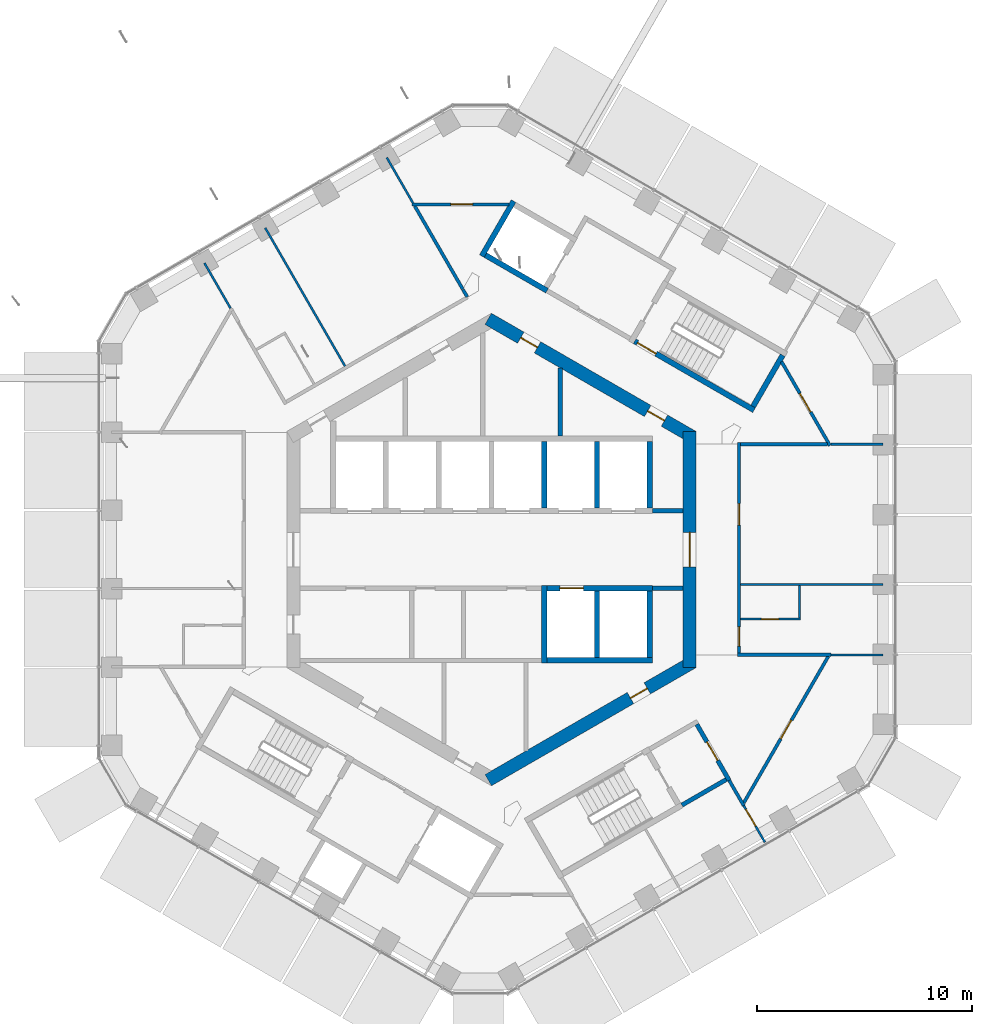
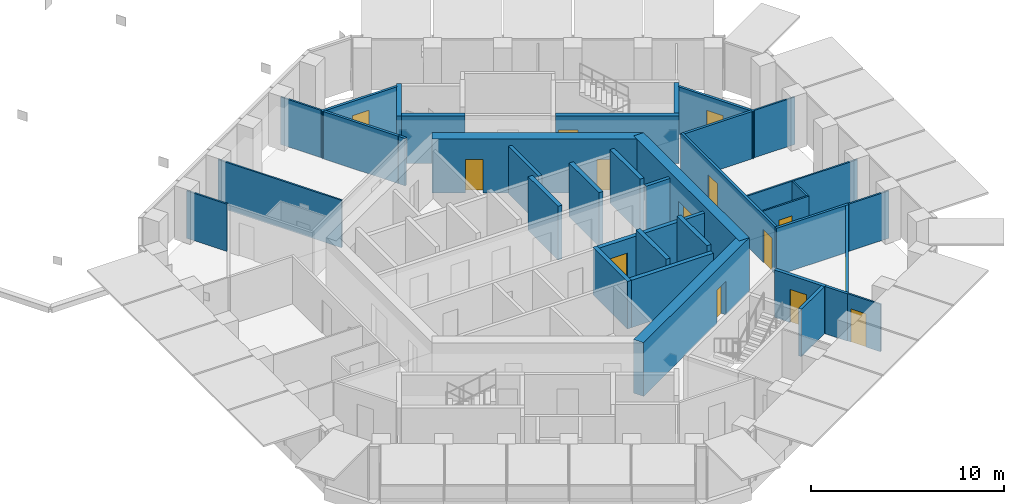
# One storey, part 14 of 21: 38 walls, 14 doors, 14 openings.
"""IFC4 building model written with IfcOpenShell, lengths in metres."""

from ifc_helpers import new_model, si_unit, direction, frame, frame_2d, origin, place, context, subcontext, project, spatial, rectangle, extrude, material, layer, layer_set, type_object, element, fill, save


model = new_model("IFC4")

# Units and contexts
model_context = context("Model", 3, precision=1e-05, world=origin(), true_north=direction((0.0, 1.0)))
body_context = subcontext(model_context, "Body", "Model", "MODEL_VIEW")
ifc_project = project(units=[si_unit("LENGTHUNIT", "METRE"), si_unit("AREAUNIT", "SQUARE_METRE"), si_unit("VOLUMEUNIT", "CUBIC_METRE"), si_unit("PLANEANGLEUNIT", "RADIAN"), si_unit("MASSUNIT", "GRAM", prefix="KILO")], contexts=[model_context])

# Site, building, storey
site_placement = place(None, origin())
site = spatial("IfcSite", under=ifc_project, at=site_placement, CompositionType="ELEMENT")
building_placement = place(site_placement, origin())
building = spatial("IfcBuilding", under=site, at=building_placement, Name="Ayvan Gate Tower", CompositionType="ELEMENT")
storey_placement = place(building_placement, frame((0.0, 0.0, 183.300048828125)))
storey = spatial("IfcBuildingStorey", under=building, at=storey_placement, Name="L49", CompositionType="ELEMENT", Elevation=183.300048828125)

# Wall, opening, door
ifc_material_1 = material(Name="Concrete C60/75", Category="concrete")
ifc_layer_1 = layer(ifc_material_1, 0.60009765625)
ifc_layer_set_1 = layer_set([ifc_layer_1], Name="Concrete C60/75")
wall_type_1 = type_object("IfcWallType", Name="Core wall 600 C60/75", PredefinedType="SHEAR", material=ifc_layer_set_1)
wall_1_placement = place(storey_placement, frame((9.199951171875, -5.48486328125, 0.0), z_axis=(0.0, 0.0, 1.0), x_axis=(0.0, 1.0, 0.0)))
wall_1 = element("IfcWall", 1, at=wall_1_placement, inside=storey, type_object=wall_type_1, Name="CORE-L49-0", PredefinedType="SHEAR", context=body_context, shape_type="SweptSolid", body=[
    extrude(rectangle(XDim=10.9697265625, YDim=0.60009765625, at=frame_2d((5.48486328125, 0.0))), origin(), (0.0, 0.0, 1.0), 3.39990234375),
])
opening_1_placement = place(wall_1_placement, frame((4.684814453125, 0.0, 0.0)))
opening_1 = element("IfcOpeningElement", 2, at=opening_1_placement, cuts=wall_1, Name="Opening L49-D50", PredefinedType="OPENING", context=body_context, shape_type="SweptSolid", body=[
    extrude(rectangle(XDim=1.60009765625, YDim=2.10009765625, at=frame_2d((0.800048828125, 1.050048828125))), frame((0.0, 0.31005859375, 0.0), z_axis=(0.0, -1.0, 0.0), x_axis=(1.0, 0.0, 0.0)), (0.0, 0.0, 1.0), 0.6201171875),
])
ifc_material_2 = material(Name="Timber door leaf", Category="wood")
door_type_1 = type_object("IfcDoorType", Name="DT-1600", OperationType="NOTDEFINED", PredefinedType="DOOR", material=ifc_material_2)
door_1_placement = place(opening_1_placement, origin())
door_1 = element("IfcDoor", 3, at=door_1_placement, inside=storey, type_object=door_type_1, Name="CD-L49-50", OperationType="SINGLE_SWING_LEFT", OverallHeight=2.10009765625, OverallWidth=1.60009765625, PredefinedType="DOOR", context=body_context, shape_type="SweptSolid", body=[
    extrude(rectangle(XDim=1.60009765625, YDim=2.10009765625, at=frame_2d((0.800048828125, 1.050048828125))), frame((0.0, 0.02490234375, 0.0), z_axis=(0.0, -1.0, 0.0), x_axis=(1.0, 0.0, 0.0)), (0.0, 0.0, 1.0), 0.050048828125),
])
fill(opening_1, door_1)

# Wall, openings, doors
wall_2_placement = place(storey_placement, frame((9.35009765625, 5.22509765625, 0.0), z_axis=(0.0, 0.0, 1.0), x_axis=(-0.866023993627, 0.500002442456, 0.0)))
wall_2 = element("IfcWall", 4, at=wall_2_placement, inside=storey, type_object=wall_type_1, Name="CORE-L49-1", PredefinedType="SHEAR", context=body_context, shape_type="SweptSolid", body=[
    extrude(rectangle(XDim=10.9697265625, YDim=0.60009765625, at=frame_2d((5.48486328125, 0.0))), origin(), (0.0, 0.0, 1.0), 3.39990234375),
])
opening_2_placement = place(wall_2_placement, frame((8.3251953125, 0.0, 0.0)))
opening_2 = element("IfcOpeningElement", 5, at=opening_2_placement, cuts=wall_2, Name="Opening L49-D44", PredefinedType="OPENING", context=body_context, shape_type="SweptSolid", body=[
    extrude(rectangle(XDim=0.89990234375, YDim=2.10009765625, at=frame_2d((0.449951171875, 1.050048828125))), frame((0.0, 0.31005859375, 0.0), z_axis=(0.0, -1.0, 0.0), x_axis=(1.0, 0.0, 0.0)), (0.0, 0.0, 1.0), 0.6201171875),
])
opening_3_placement = place(wall_2_placement, frame((1.518310546875, 0.0, 0.0)))
opening_3 = element("IfcOpeningElement", 6, at=opening_3_placement, cuts=wall_2, Name="Opening L49-D45", PredefinedType="OPENING", context=body_context, shape_type="SweptSolid", body=[
    extrude(rectangle(XDim=0.89990234375, YDim=2.10009765625, at=frame_2d((0.449951171875, 1.050048828125))), frame((0.0, 0.31005859375, 0.0), z_axis=(0.0, -1.0, 0.0), x_axis=(1.0, 0.0, 0.0)), (0.0, 0.0, 1.0), 0.6201171875),
])
door_type_2 = type_object("IfcDoorType", Name="DT-900", OperationType="NOTDEFINED", PredefinedType="DOOR", material=ifc_material_2)
door_2_placement = place(opening_2_placement, origin())
door_2 = element("IfcDoor", 7, at=door_2_placement, inside=storey, type_object=door_type_2, Name="CD-L49-44", OperationType="SINGLE_SWING_LEFT", OverallHeight=2.10009765625, OverallWidth=0.89990234375, PredefinedType="DOOR", context=body_context, shape_type="SweptSolid", body=[
    extrude(rectangle(XDim=0.89990234375, YDim=2.10009765625, at=frame_2d((0.449951171875, 1.050048828125))), frame((0.0, 0.02490234375, 0.0), z_axis=(0.0, -1.0, 0.0), x_axis=(1.0, 0.0, 0.0)), (0.0, 0.0, 1.0), 0.050048828125),
])
fill(opening_2, door_2)
door_3_placement = place(opening_3_placement, origin())
door_3 = element("IfcDoor", 8, at=door_3_placement, inside=storey, type_object=door_type_2, Name="CD-L49-45", OperationType="SINGLE_SWING_RIGHT", OverallHeight=2.10009765625, OverallWidth=0.89990234375, PredefinedType="DOOR", context=body_context, shape_type="SweptSolid", body=[
    extrude(rectangle(XDim=0.89990234375, YDim=2.10009765625, at=frame_2d((0.449951171875, 1.050048828125))), frame((0.0, 0.02490234375, 0.0), z_axis=(0.0, -1.0, 0.0), x_axis=(1.0, 0.0, 0.0)), (0.0, 0.0, 1.0), 0.050048828125),
])
fill(opening_3, door_3)

# Wall, opening, door
wall_3_placement = place(storey_placement, frame((-0.14990234375, -10.7099609375, 0.0), z_axis=(0.0, 0.0, 1.0), x_axis=(0.866023993627, 0.500002442456, 0.0)))
wall_3 = element("IfcWall", 9, at=wall_3_placement, inside=storey, type_object=wall_type_1, Name="CORE-L49-5", PredefinedType="SHEAR", context=body_context, shape_type="SweptSolid", body=[
    extrude(rectangle(XDim=10.9697265625, YDim=0.60009765625, at=frame_2d((5.48486328125, 0.0))), origin(), (0.0, 0.0, 1.0), 3.39990234375),
])
opening_4_placement = place(wall_3_placement, frame((7.627685546875, 0.0, 0.0)))
opening_4 = element("IfcOpeningElement", 10, at=opening_4_placement, cuts=wall_3, Name="Opening L49-D48", PredefinedType="OPENING", context=body_context, shape_type="SweptSolid", body=[
    extrude(rectangle(XDim=0.89990234375, YDim=2.10009765625, at=frame_2d((0.449951171875, 1.050048828125))), frame((0.0, 0.31005859375, 0.0), z_axis=(0.0, -1.0, 0.0), x_axis=(1.0, 0.0, 0.0)), (0.0, 0.0, 1.0), 0.6201171875),
])
door_4_placement = place(opening_4_placement, origin())
door_4 = element("IfcDoor", 11, at=door_4_placement, inside=storey, type_object=door_type_2, Name="CD-L49-48", OperationType="SINGLE_SWING_LEFT", OverallHeight=2.10009765625, OverallWidth=0.89990234375, PredefinedType="DOOR", context=body_context, shape_type="SweptSolid", body=[
    extrude(rectangle(XDim=0.89990234375, YDim=2.10009765625, at=frame_2d((0.449951171875, 1.050048828125))), frame((0.0, 0.02490234375, 0.0), z_axis=(0.0, -1.0, 0.0), x_axis=(1.0, 0.0, 0.0)), (0.0, 0.0, 1.0), 0.050048828125),
])
fill(opening_4, door_4)

ifc_material_3 = material(Name="Plasterboard on steel stud", Category="steel")
ifc_layer_2 = layer(ifc_material_3, 0.14990234375)
ifc_layer_set_2 = layer_set([ifc_layer_2], Name="Plasterboard on steel stud")
wall_type_2 = type_object("IfcWallType", Name="WT-CORR-150", PredefinedType="PARTITIONING", material=ifc_layer_set_2)
wall_4_placement = place(storey_placement, frame((-3.68115234375, 16.027587890625, 0.0), z_axis=(0.0, 0.0, 1.0), x_axis=(1.0, 0.0, 0.0)))
wall_4 = element("IfcWall", 12, at=wall_4_placement, inside=storey, type_object=wall_type_2, Name="IW-L49-039", PredefinedType="PARTITIONING", context=body_context, shape_type="SweptSolid", body=[
    extrude(rectangle(XDim=4.495849609375, YDim=0.14990234375, at=frame_2d((2.248046875, 0.0))), origin(), (0.0, 0.0, 1.0), 3.0),
])
opening_5_placement = place(wall_4_placement, frame((1.802734375, 0.0, 0.0)))
opening_5 = element("IfcOpeningElement", 13, at=opening_5_placement, cuts=wall_4, Name="Opening L49-D27", PredefinedType="OPENING", context=body_context, shape_type="SweptSolid", body=[
    extrude(rectangle(XDim=1.0, YDim=2.10009765625, at=frame_2d((0.5, 1.050048828125))), frame((0.0, 0.0849609375, 0.0), z_axis=(0.0, -1.0, 0.0), x_axis=(1.0, 0.0, 0.0)), (0.0, 0.0, 1.0), 0.169921875),
])
door_type_3 = type_object("IfcDoorType", Name="DT-1000", OperationType="NOTDEFINED", PredefinedType="DOOR", material=ifc_material_2)
door_5_placement = place(opening_5_placement, origin())
door_5 = element("IfcDoor", 14, at=door_5_placement, inside=storey, type_object=door_type_3, Name="ID-L49-027", OperationType="SINGLE_SWING_RIGHT", OverallHeight=2.10009765625, OverallWidth=1.0, PredefinedType="DOOR", context=body_context, shape_type="SweptSolid", body=[
    extrude(rectangle(XDim=1.0, YDim=2.10009765625, at=frame_2d((0.5, 1.050048828125))), frame((0.0, 0.02490234375, 0.0), z_axis=(0.0, -1.0, 0.0), x_axis=(1.0, 0.0, 0.0)), (0.0, 0.0, 1.0), 0.050048828125),
])
fill(opening_5, door_5)

# Walls
wall_5_placement = place(storey_placement, frame((-1.333251953125, 12.0908203125, 0.0), z_axis=(0.0, 0.0, 1.0), x_axis=(-0.499991893987, 0.866030083742, 0.0)))
element("IfcWall", 15, at=wall_5_placement, inside=storey, type_object=wall_type_2, Name="IW-L49-045", PredefinedType="PARTITIONING", context=body_context, shape_type="SweptSolid", body=[
    extrude(rectangle(XDim=4.470703125, YDim=0.14990234375, at=frame_2d((2.2353515625, 0.0))), origin(), (0.0, 0.0, 1.0), 3.0),
])
wall_6_placement = place(storey_placement, frame((-1.3232421875, 12.073486328125, 0.0), z_axis=(0.0, 0.0, 1.0), x_axis=(0.4999705729, -0.866042392862, 0.0)))
element("IfcWall", 16, at=wall_6_placement, inside=storey, type_object=wall_type_2, Name="IW-L49-046", PredefinedType="PARTITIONING", context=body_context, shape_type="SweptSolid", body=[
    extrude(rectangle(XDim=0.3974609375, YDim=0.14990234375, at=frame_2d((0.19873046875, 0.0))), origin(), (0.0, 0.0, 1.0), 3.0),
])
wall_7_placement = place(storey_placement, frame((11.4248046875, -4.890625, 0.0), z_axis=(0.0, 0.0, 1.0), x_axis=(1.0, 0.0, 0.0)))
element("IfcWall", 17, at=wall_7_placement, inside=storey, type_object=wall_type_2, Name="IW-L49-086", PredefinedType="PARTITIONING", context=body_context, shape_type="SweptSolid", body=[
    extrude(rectangle(XDim=4.33349609375, YDim=0.14990234375, at=frame_2d((2.166748046875, 0.0))), origin(), (0.0, 0.0, 1.0), 3.0),
])

# Wall, openings, doors
wall_8_placement = place(storey_placement, frame((11.5, -4.815673828125, 0.0), z_axis=(0.0, 0.0, 1.0), x_axis=(0.0, 1.0, 0.0)))
wall_8 = element("IfcWall", 18, at=wall_8_placement, inside=storey, type_object=wall_type_2, Name="IW-L49-088", PredefinedType="PARTITIONING", context=body_context, shape_type="SweptSolid", body=[
    extrude(rectangle(XDim=9.781494140625, YDim=0.14990234375, at=frame_2d((4.890625, 0.0))), origin(), (0.0, 0.0, 1.0), 3.0),
])
opening_6_placement = place(wall_8_placement, frame((0.32763671875, 0.0, 0.0)))
opening_6 = element("IfcOpeningElement", 19, at=opening_6_placement, cuts=wall_8, Name="Opening L49-D22", PredefinedType="OPENING", context=body_context, shape_type="SweptSolid", body=[
    extrude(rectangle(XDim=0.89990234375, YDim=2.10009765625, at=frame_2d((0.449951171875, 1.050048828125))), frame((0.0, 0.0849609375, 0.0), z_axis=(0.0, -1.0, 0.0), x_axis=(1.0, 0.0, 0.0)), (0.0, 0.0, 1.0), 0.169921875),
])
opening_7_placement = place(wall_8_placement, frame((5.946044921875, 0.0, 0.0)))
opening_7 = element("IfcOpeningElement", 20, at=opening_7_placement, cuts=wall_8, Name="Opening L49-D24", PredefinedType="OPENING", context=body_context, shape_type="SweptSolid", body=[
    extrude(rectangle(XDim=1.0, YDim=2.10009765625, at=frame_2d((0.5, 1.050048828125))), frame((0.0, 0.0849609375, 0.0), z_axis=(0.0, -1.0, 0.0), x_axis=(1.0, 0.0, 0.0)), (0.0, 0.0, 1.0), 0.169921875),
])
door_6_placement = place(opening_7_placement, origin())
door_6 = element("IfcDoor", 21, at=door_6_placement, inside=storey, type_object=door_type_3, Name="ID-L49-024", OperationType="SINGLE_SWING_LEFT", OverallHeight=2.10009765625, OverallWidth=1.0, PredefinedType="DOOR", context=body_context, shape_type="SweptSolid", body=[
    extrude(rectangle(XDim=1.0, YDim=2.10009765625, at=frame_2d((0.5, 1.050048828125))), frame((0.0, 0.02490234375, 0.0), z_axis=(0.0, -1.0, 0.0), x_axis=(1.0, 0.0, 0.0)), (0.0, 0.0, 1.0), 0.050048828125),
])
fill(opening_7, door_6)
door_7_placement = place(opening_6_placement, origin())
door_7 = element("IfcDoor", 22, at=door_7_placement, inside=storey, type_object=door_type_2, Name="ID-L49-022", OperationType="SINGLE_SWING_LEFT", OverallHeight=2.10009765625, OverallWidth=0.89990234375, PredefinedType="DOOR", context=body_context, shape_type="SweptSolid", body=[
    extrude(rectangle(XDim=0.89990234375, YDim=2.10009765625, at=frame_2d((0.449951171875, 1.050048828125))), frame((0.0, 0.02490234375, 0.0), z_axis=(0.0, -1.0, 0.0), x_axis=(1.0, 0.0, 0.0)), (0.0, 0.0, 1.0), 0.050048828125),
])
fill(opening_6, door_7)

# Wall
wall_9_placement = place(storey_placement, frame((11.7158203125, -11.892578125, 0.0), z_axis=(0.0, 0.0, 1.0), x_axis=(-0.499872974073, 0.866098729817, 0.0)))
element("IfcWall", 23, at=wall_9_placement, inside=storey, type_object=wall_type_2, Name="IW-L49-090", PredefinedType="PARTITIONING", context=body_context, shape_type="SweptSolid", body=[
    extrude(rectangle(XDim=1.357177734375, YDim=0.14990234375, at=frame_2d((0.6787109375, 0.0))), origin(), (0.0, 0.0, 1.0), 3.0),
])

# Wall, opening, door
wall_10_placement = place(storey_placement, frame((13.472900390625, 8.71923828125, 0.0), z_axis=(0.0, 0.0, 1.0), x_axis=(0.499976292358, -0.866039090965, 0.0)))
wall_10 = element("IfcWall", 24, at=wall_10_placement, inside=storey, type_object=wall_type_2, Name="IW-L49-093", PredefinedType="PARTITIONING", context=body_context, shape_type="SweptSolid", body=[
    extrude(rectangle(XDim=4.495849609375, YDim=0.14990234375, at=frame_2d((2.248046875, 0.0))), origin(), (0.0, 0.0, 1.0), 3.0),
])
opening_8_placement = place(wall_10_placement, frame((1.693115234375, 0.0, 0.0)))
opening_8 = element("IfcOpeningElement", 25, at=opening_8_placement, cuts=wall_10, Name="Opening L49-D25", PredefinedType="OPENING", context=body_context, shape_type="SweptSolid", body=[
    extrude(rectangle(XDim=1.0, YDim=2.10009765625, at=frame_2d((0.5, 1.050048828125))), frame((0.0, 0.0849609375, 0.0), z_axis=(0.0, -1.0, 0.0), x_axis=(1.0, 0.0, 0.0)), (0.0, 0.0, 1.0), 0.169921875),
])
door_8_placement = place(opening_8_placement, origin())
door_8 = element("IfcDoor", 26, at=door_8_placement, inside=storey, type_object=door_type_3, Name="ID-L49-025", OperationType="SINGLE_SWING_RIGHT", OverallHeight=2.10009765625, OverallWidth=1.0, PredefinedType="DOOR", context=body_context, shape_type="SweptSolid", body=[
    extrude(rectangle(XDim=1.0, YDim=2.10009765625, at=frame_2d((0.5, 1.050048828125))), frame((0.0, 0.02490234375, 0.0), z_axis=(0.0, -1.0, 0.0), x_axis=(1.0, 0.0, 0.0)), (0.0, 0.0, 1.0), 0.050048828125),
])
fill(opening_8, door_8)

# Wall
wall_11_placement = place(storey_placement, frame((15.6083984375, 4.890625, 0.0), z_axis=(0.0, 0.0, 1.0), x_axis=(-1.0, 0.0, 0.0)))
element("IfcWall", 27, at=wall_11_placement, inside=storey, type_object=wall_type_2, Name="IW-L49-098", PredefinedType="PARTITIONING", context=body_context, shape_type="SweptSolid", body=[
    extrude(rectangle(XDim=4.033447265625, YDim=0.14990234375, at=frame_2d((2.0166015625, 0.0))), origin(), (0.0, 0.0, 1.0), 3.0),
])

# Wall, opening, door
wall_12_placement = place(storey_placement, frame((15.645751953125, -4.955810546875, 0.0), z_axis=(0.0, 0.0, 1.0), x_axis=(-0.499997603866, -0.866026787189, 0.0)))
wall_12 = element("IfcWall", 28, at=wall_12_placement, inside=storey, type_object=wall_type_2, Name="IW-L49-099", PredefinedType="PARTITIONING", context=body_context, shape_type="SweptSolid", body=[
    extrude(rectangle(XDim=7.85986328125, YDim=0.14990234375, at=frame_2d((3.929931640625, 0.0))), origin(), (0.0, 0.0, 1.0), 3.0),
])
opening_9_placement = place(wall_12_placement, frame((3.429931640625, 0.0, 0.0)))
opening_9 = element("IfcOpeningElement", 29, at=opening_9_placement, cuts=wall_12, Name="Opening L49-D37", PredefinedType="OPENING", context=body_context, shape_type="SweptSolid", body=[
    extrude(rectangle(XDim=1.0, YDim=2.10009765625, at=frame_2d((0.5, 1.050048828125))), frame((0.0, 0.0849609375, 0.0), z_axis=(0.0, -1.0, 0.0), x_axis=(1.0, 0.0, 0.0)), (0.0, 0.0, 1.0), 0.169921875),
])
door_9_placement = place(opening_9_placement, origin())
door_9 = element("IfcDoor", 30, at=door_9_placement, inside=storey, type_object=door_type_3, Name="ID-L49-037", OperationType="SINGLE_SWING_RIGHT", OverallHeight=2.10009765625, OverallWidth=1.0, PredefinedType="DOOR", context=body_context, shape_type="SweptSolid", body=[
    extrude(rectangle(XDim=1.0, YDim=2.10009765625, at=frame_2d((0.5, 1.050048828125))), frame((0.0, 0.02490234375, 0.0), z_axis=(0.0, -1.0, 0.0), x_axis=(1.0, 0.0, 0.0)), (0.0, 0.0, 1.0), 0.050048828125),
])
fill(opening_9, door_9)

# Walls
ifc_layer_3 = layer(ifc_material_3, 0.10009765625)
ifc_layer_set_3 = layer_set([ifc_layer_3], Name="Plasterboard on steel stud")
wall_type_3 = type_object("IfcWallType", Name="WT-PART-100", PredefinedType="PARTITIONING", material=ifc_layer_set_3)
wall_13_placement = place(storey_placement, frame((-13.328857421875, 13.3046875, 0.0), z_axis=(0.0, 0.0, 1.0), x_axis=(0.500021275498, -0.866013120021, 0.0)))
element("IfcWall", 31, at=wall_13_placement, inside=storey, type_object=wall_type_3, Name="IW-L49-008", PredefinedType="PARTITIONING", context=body_context, shape_type="SweptSolid", body=[
    extrude(rectangle(XDim=2.42822265625, YDim=0.10009765625, at=frame_2d((1.214111328125, 0.0))), origin(), (0.0, 0.0, 1.0), 3.0),
])
wall_14_placement = place(storey_placement, frame((-6.79931640625, 8.516357421875, 0.0), z_axis=(0.0, 0.0, 1.0), x_axis=(-0.500011399757, 0.866018822032, 0.0)))
element("IfcWall", 32, at=wall_14_placement, inside=storey, type_object=wall_type_3, Name="IW-L49-029", PredefinedType="PARTITIONING", context=body_context, shape_type="SweptSolid", body=[
    extrude(rectangle(XDim=7.411376953125, YDim=0.10009765625, at=frame_2d((3.70556640625, 0.0))), origin(), (0.0, 0.0, 1.0), 3.0),
])
wall_15_placement = place(storey_placement, frame((-3.643798828125, 16.092529296875, 0.0), z_axis=(0.0, 0.0, 1.0), x_axis=(-0.500021275498, 0.866013120021, 0.0)))
element("IfcWall", 33, at=wall_15_placement, inside=storey, type_object=wall_type_3, Name="IW-L49-038", PredefinedType="PARTITIONING", context=body_context, shape_type="SweptSolid", body=[
    extrude(rectangle(XDim=2.42822265625, YDim=0.10009765625, at=frame_2d((1.214111328125, 0.0))), origin(), (0.0, 0.0, 1.0), 3.0),
])

# Wall, opening, door
wall_16_placement = place(storey_placement, frame((11.574951171875, -3.230224609375, 0.0), z_axis=(0.0, 0.0, 1.0), x_axis=(1.0, 0.0, 0.0)))
wall_16 = element("IfcWall", 34, at=wall_16_placement, inside=storey, type_object=wall_type_3, Name="IW-L49-087", PredefinedType="PARTITIONING", context=body_context, shape_type="SweptSolid", body=[
    extrude(rectangle(XDim=2.775146484375, YDim=0.10009765625, at=frame_2d((1.3876953125, 0.0))), origin(), (0.0, 0.0, 1.0), 3.0),
])
opening_10_placement = place(wall_16_placement, frame((0.96240234375, 0.0, 0.0)))
opening_10 = element("IfcOpeningElement", 35, at=opening_10_placement, cuts=wall_16, Name="Opening L49-D23", PredefinedType="OPENING", context=body_context, shape_type="SweptSolid", body=[
    extrude(rectangle(XDim=0.800048828125, YDim=2.10009765625, at=frame_2d((0.39990234375, 1.050048828125))), frame((0.0, 0.06005859375, 0.0), z_axis=(0.0, -1.0, 0.0), x_axis=(1.0, 0.0, 0.0)), (0.0, 0.0, 1.0), 0.1201171875),
])
door_type_4 = type_object("IfcDoorType", Name="DT-800", OperationType="NOTDEFINED", PredefinedType="DOOR", material=ifc_material_2)
door_10_placement = place(opening_10_placement, origin())
door_10 = element("IfcDoor", 36, at=door_10_placement, inside=storey, type_object=door_type_4, Name="ID-L49-023", OperationType="SINGLE_SWING_RIGHT", OverallHeight=2.10009765625, OverallWidth=0.800048828125, PredefinedType="DOOR", context=body_context, shape_type="SweptSolid", body=[
    extrude(rectangle(XDim=0.800048828125, YDim=2.10009765625, at=frame_2d((0.39990234375, 1.050048828125))), frame((0.0, 0.02490234375, 0.0), z_axis=(0.0, -1.0, 0.0), x_axis=(1.0, 0.0, 0.0)), (0.0, 0.0, 1.0), 0.050048828125),
])
fill(opening_10, door_10)

# Wall
wall_17_placement = place(storey_placement, frame((11.574951171875, -1.630126953125, 0.0), z_axis=(0.0, 0.0, 1.0), x_axis=(1.0, 0.0, 0.0)))
element("IfcWall", 37, at=wall_17_placement, inside=storey, type_object=wall_type_3, Name="IW-L49-089", PredefinedType="PARTITIONING", context=body_context, shape_type="SweptSolid", body=[
    extrude(rectangle(XDim=6.611572265625, YDim=0.10009765625, at=frame_2d((3.3056640625, 0.0))), origin(), (0.0, 0.0, 1.0), 3.0),
])

# Wall, opening, door
wall_18_placement = place(storey_placement, frame((12.698974609375, -13.59521484375, 0.0), z_axis=(0.0, 0.0, 1.0), x_axis=(-0.500052080135, 0.865995333216, 0.0)))
wall_18 = element("IfcWall", 38, at=wall_18_placement, inside=storey, type_object=wall_type_3, Name="IW-L49-092", PredefinedType="PARTITIONING", context=body_context, shape_type="SweptSolid", body=[
    extrude(rectangle(XDim=1.966064453125, YDim=0.10009765625, at=frame_2d((0.98291015625, 0.0))), origin(), (0.0, 0.0, 1.0), 3.0),
])
opening_11_placement = place(wall_18_placement, frame((0.86865234375, 0.0, 0.0)))
opening_11 = element("IfcOpeningElement", 39, at=opening_11_placement, cuts=wall_18, Name="Opening L49-D38", PredefinedType="OPENING", context=body_context, shape_type="SweptSolid", body=[
    extrude(rectangle(XDim=0.89990234375, YDim=2.10009765625, at=frame_2d((0.449951171875, 1.050048828125))), frame((0.0, 0.06005859375, 0.0), z_axis=(0.0, -1.0, 0.0), x_axis=(1.0, 0.0, 0.0)), (0.0, 0.0, 1.0), 0.1201171875),
])
door_11_placement = place(opening_11_placement, origin())
door_11 = element("IfcDoor", 40, at=door_11_placement, inside=storey, type_object=door_type_2, Name="ID-L49-038", OperationType="SINGLE_SWING_LEFT", OverallHeight=2.10009765625, OverallWidth=0.89990234375, PredefinedType="DOOR", context=body_context, shape_type="SweptSolid", body=[
    extrude(rectangle(XDim=0.89990234375, YDim=2.10009765625, at=frame_2d((0.449951171875, 1.050048828125))), frame((0.0, 0.02490234375, 0.0), z_axis=(0.0, -1.0, 0.0), x_axis=(1.0, 0.0, 0.0)), (0.0, 0.0, 1.0), 0.050048828125),
])
fill(opening_11, door_11)

# Walls
wall_19_placement = place(storey_placement, frame((14.300048828125, -3.18017578125, 0.0), z_axis=(0.0, 0.0, 1.0), x_axis=(0.0, 1.0, 0.0)))
element("IfcWall", 41, at=wall_19_placement, inside=storey, type_object=wall_type_3, Name="IW-L49-096", PredefinedType="PARTITIONING", context=body_context, shape_type="SweptSolid", body=[
    extrude(rectangle(XDim=1.5, YDim=0.10009765625, at=frame_2d((0.75, 0.0))), origin(), (0.0, 0.0, 1.0), 3.0),
])
for number, where, z_axis, x_axis, name in (
    (42, (15.75830078125, 4.890625, 0.0), (0.0, 0.0, 1.0), (1.0, 0.0, 0.0), "IW-L49-097"),
    (43, (18.1865234375, -4.890625, 0.0), (0.0, 0.0, 1.0), (-1.0, 0.0, 0.0), "IW-L49-100"),
):
    element("IfcWall", number, at=place(storey_placement, frame(where, z_axis=z_axis, x_axis=x_axis)), inside=storey, type_object=wall_type_3, Name=name, PredefinedType="PARTITIONING", context=body_context, shape_type="SweptSolid", body=[
        extrude(rectangle(XDim=2.42822265625, YDim=0.10009765625, at=frame_2d((1.214111328125, 0.0))), origin(), (0.0, 0.0, 1.0), 3.0),
    ])
ifc_layer_4 = layer(ifc_material_3, 0.199951171875)
ifc_layer_set_4 = layer_set([ifc_layer_4], Name="Plasterboard on steel stud")
wall_type_4 = type_object("IfcWallType", Name="WT-RATED-200", PredefinedType="PARTITIONING", material=ifc_layer_set_4)
wall_20_placement = place(storey_placement, frame((3.199951171875, 8.42919921875, 0.0), z_axis=(0.0, 0.0, 1.0), x_axis=(0.0, -1.0, 0.0)))
element("IfcWall", 44, at=wall_20_placement, inside=storey, type_object=wall_type_4, Name="IW-L49-062", PredefinedType="PARTITIONING", context=body_context, shape_type="SweptSolid", body=[
    extrude(rectangle(XDim=3.154296875, YDim=0.199951171875, at=frame_2d((1.5771484375, 0.0))), origin(), (0.0, 0.0, 1.0), 3.0),
])
for number, where, z_axis, x_axis, name in (
    (45, (7.474853515625, 1.800048828125, 0.0), (0.0, 0.0, 1.0), (1.0, 0.0, 0.0), "IW-L49-077"),
    (46, (8.89990234375, -1.800048828125, 0.0), (0.0, 0.0, 1.0), (-1.0, 0.0, 0.0), "IW-L49-083"),
):
    element("IfcWall", number, at=place(storey_placement, frame(where, z_axis=z_axis, x_axis=x_axis)), inside=storey, type_object=wall_type_4, Name=name, PredefinedType="PARTITIONING", context=body_context, shape_type="SweptSolid", body=[
        extrude(rectangle(XDim=1.425048828125, YDim=0.199951171875, at=frame_2d((0.71240234375, 0.0))), origin(), (0.0, 0.0, 1.0), 3.0),
    ])

# Wall, opening, door
wall_21_placement = place(storey_placement, frame((9.537353515625, -8.119140625, 0.0), z_axis=(0.0, 0.0, 1.0), x_axis=(0.499990139034, -0.866031096941, 0.0)))
wall_21 = element("IfcWall", 47, at=wall_21_placement, inside=storey, type_object=wall_type_4, Name="IW-L49-084", PredefinedType="PARTITIONING", context=body_context, shape_type="SweptSolid", body=[
    extrude(rectangle(XDim=3.0, YDim=0.199951171875, at=frame_2d((1.5, 0.0))), origin(), (0.0, 0.0, 1.0), 3.0),
])
opening_12_placement = place(wall_21_placement, frame((0.93505859375, 0.0, 0.0)))
opening_12 = element("IfcOpeningElement", 48, at=opening_12_placement, cuts=wall_21, Name="Opening L49-D20", PredefinedType="OPENING", context=body_context, shape_type="SweptSolid", body=[
    extrude(rectangle(XDim=1.0, YDim=2.10009765625, at=frame_2d((0.5, 1.050048828125))), frame((0.0, 0.10986328125, 0.0), z_axis=(0.0, -1.0, 0.0), x_axis=(1.0, 0.0, 0.0)), (0.0, 0.0, 1.0), 0.219970703125),
])
door_12_placement = place(opening_12_placement, origin())
door_12 = element("IfcDoor", 49, at=door_12_placement, inside=storey, type_object=door_type_3, Name="ID-L49-020", OperationType="SINGLE_SWING_LEFT", OverallHeight=2.10009765625, OverallWidth=1.0, PredefinedType="DOOR", context=body_context, shape_type="SweptSolid", body=[
    extrude(rectangle(XDim=1.0, YDim=2.10009765625, at=frame_2d((0.5, 1.050048828125))), frame((0.0, 0.02490234375, 0.0), z_axis=(0.0, -1.0, 0.0), x_axis=(1.0, 0.0, 0.0)), (0.0, 0.0, 1.0), 0.050048828125),
])
fill(opening_12, door_12)

# Walls
wall_22_placement = place(storey_placement, frame((10.900634765625, -10.6806640625, 0.0), z_axis=(0.0, 0.0, 1.0), x_axis=(-0.866007538022, -0.500030943131, 0.0)))
element("IfcWall", 50, at=wall_22_placement, inside=storey, type_object=wall_type_4, Name="IW-L49-085", PredefinedType="PARTITIONING", context=body_context, shape_type="SweptSolid", body=[
    extrude(rectangle(XDim=2.374755859375, YDim=0.199951171875, at=frame_2d((1.1875, 0.0))), origin(), (0.0, 0.0, 1.0), 3.0),
])
ifc_material_4 = material(Name="Concrete C50/60", Category="concrete")
ifc_layer_5 = layer(ifc_material_4, 0.25)
ifc_layer_set_5 = layer_set([ifc_layer_5], Name="Concrete C50/60")
wall_type_5 = type_object("IfcWallType", Name="WT-RC-250", PredefinedType="SHEAR", material=ifc_layer_set_5)
wall_23_placement = place(storey_placement, frame((-0.447998046875, 13.624267578125, 0.0), z_axis=(0.0, 0.0, 1.0), x_axis=(0.500037662692, 0.866003658127, 0.0)))
element("IfcWall", 51, at=wall_23_placement, inside=storey, type_object=wall_type_5, Name="IW-L49-051", PredefinedType="SHEAR", context=body_context, shape_type="SweptSolid", body=[
    extrude(rectangle(XDim=2.949951171875, YDim=0.25, at=frame_2d((1.47509765625, 0.0))), origin(), (0.0, 0.0, 1.0), 3.0),
])
wall_24_placement = place(storey_placement, frame((2.449951171875, -5.27490234375, 0.0), z_axis=(0.0, 0.0, 1.0), x_axis=(0.0, 1.0, 0.0)))
element("IfcWall", 52, at=wall_24_placement, inside=storey, type_object=wall_type_5, Name="IW-L49-056", PredefinedType="SHEAR", context=body_context, shape_type="SweptSolid", body=[
    extrude(rectangle(XDim=3.599853515625, YDim=0.25, at=frame_2d((1.7998046875, 0.0))), origin(), (0.0, 0.0, 1.0), 3.0),
])
wall_25_placement = place(storey_placement, frame((2.449951171875, 5.02490234375, 0.0), z_axis=(0.0, 0.0, 1.0), x_axis=(0.0, -1.0, 0.0)))
element("IfcWall", 53, at=wall_25_placement, inside=storey, type_object=wall_type_5, Name="IW-L49-057", PredefinedType="SHEAR", context=body_context, shape_type="SweptSolid", body=[
    extrude(rectangle(XDim=3.099853515625, YDim=0.25, at=frame_2d((1.5498046875, 0.0))), origin(), (0.0, 0.0, 1.0), 3.39990234375),
])
wall_26_placement = place(storey_placement, frame((2.580810546875, 12.02001953125, 0.0), z_axis=(0.0, 0.0, 1.0), x_axis=(-0.866040211805, 0.499974350878, 0.0)))
element("IfcWall", 54, at=wall_26_placement, inside=storey, type_object=wall_type_5, Name="IW-L49-058", PredefinedType="SHEAR", context=body_context, shape_type="SweptSolid", body=[
    extrude(rectangle(XDim=3.300048828125, YDim=0.25, at=frame_2d((1.64990234375, 0.0))), origin(), (0.0, 0.0, 1.0), 3.0),
])
wall_27_placement = place(storey_placement, frame((2.574951171875, -5.14990234375, 0.0), z_axis=(0.0, 0.0, 1.0), x_axis=(1.0, 0.0, 0.0)))
element("IfcWall", 55, at=wall_27_placement, inside=storey, type_object=wall_type_5, Name="IW-L49-067", PredefinedType="SHEAR", context=body_context, shape_type="SweptSolid", body=[
    extrude(rectangle(XDim=4.900146484375, YDim=0.25, at=frame_2d((2.4501953125, 0.0))), origin(), (0.0, 0.0, 1.0), 3.0),
])
for number, where, z_axis, x_axis, name in (
    (56, (4.89990234375, -1.925048828125, 0.0), (0.0, 0.0, 1.0), (0.0, -1.0, 0.0), "IW-L49-068"),
    (57, (4.89990234375, 5.02490234375, 0.0), (0.0, 0.0, 1.0), (0.0, -1.0, 0.0), "IW-L49-069"),
):
    element("IfcWall", number, at=place(storey_placement, frame(where, z_axis=z_axis, x_axis=x_axis)), inside=storey, type_object=wall_type_5, Name=name, PredefinedType="SHEAR", context=body_context, shape_type="SweptSolid", body=[
        extrude(rectangle(XDim=3.099853515625, YDim=0.25, at=frame_2d((1.5498046875, 0.0))), origin(), (0.0, 0.0, 1.0), 3.39990234375),
    ])

# Wall, opening, door
wall_28_placement = place(storey_placement, frame((2.574951171875, -1.800048828125, 0.0), z_axis=(0.0, 0.0, 1.0), x_axis=(1.0, 0.0, 0.0)))
wall_28 = element("IfcWall", 58, at=wall_28_placement, inside=storey, type_object=wall_type_5, Name="IW-L49-070", PredefinedType="SHEAR", context=body_context, shape_type="SweptSolid", body=[
    extrude(rectangle(XDim=4.900146484375, YDim=0.25, at=frame_2d((2.4501953125, 0.0))), origin(), (0.0, 0.0, 1.0), 3.0),
])
opening_13_placement = place(wall_28_placement, frame((0.597412109375, 0.0, 0.0)))
opening_13 = element("IfcOpeningElement", 59, at=opening_13_placement, cuts=wall_28, Name="Opening L49-LD-SV", PredefinedType="OPENING", context=body_context, shape_type="SweptSolid", body=[
    extrude(rectangle(XDim=1.10009765625, YDim=2.10009765625, at=frame_2d((0.550048828125, 1.050048828125))), frame((0.0, 0.135009765625, 0.0), z_axis=(0.0, -1.0, 0.0), x_axis=(1.0, 0.0, 0.0)), (0.0, 0.0, 1.0), 0.27001953125),
])
ifc_material_5 = material(Name="Stainless steel landing door", Category="steel")
door_type_5 = type_object("IfcDoorType", Name="DT-LANDING-1100", OperationType="SLIDING_TO_LEFT", PredefinedType="DOOR", material=ifc_material_5)
door_13_placement = place(opening_13_placement, origin())
door_13 = element("IfcDoor", 60, at=door_13_placement, inside=storey, type_object=door_type_5, Name="ID-L49-007", OperationType="SLIDING_TO_LEFT", OverallHeight=2.10009765625, OverallWidth=1.10009765625, PredefinedType="DOOR", context=body_context, shape_type="SweptSolid", body=[
    extrude(rectangle(XDim=1.10009765625, YDim=2.10009765625, at=frame_2d((0.550048828125, 1.050048828125))), frame((0.0, 0.02490234375, 0.0), z_axis=(0.0, -1.0, 0.0), x_axis=(1.0, 0.0, 0.0)), (0.0, 0.0, 1.0), 0.050048828125),
])
fill(opening_13, door_13)

# Walls
for number, where, z_axis, x_axis, name in (
    (61, (7.35009765625, -1.925048828125, 0.0), (0.0, 0.0, 1.0), (0.0, -1.0, 0.0), "IW-L49-078"),
    (62, (7.35009765625, 5.02490234375, 0.0), (0.0, 0.0, 1.0), (0.0, -1.0, 0.0), "IW-L49-079"),
):
    element("IfcWall", number, at=place(storey_placement, frame(where, z_axis=z_axis, x_axis=x_axis)), inside=storey, type_object=wall_type_5, Name=name, PredefinedType="SHEAR", context=body_context, shape_type="SweptSolid", body=[
        extrude(rectangle(XDim=3.099853515625, YDim=0.25, at=frame_2d((1.5498046875, 0.0))), origin(), (0.0, 0.0, 1.0), 3.39990234375),
    ])

# Wall, opening, door
wall_29_placement = place(storey_placement, frame((12.193603515625, 6.469970703125, 0.0), z_axis=(0.0, 0.0, 1.0), x_axis=(-0.866025499775, 0.499999833739, 0.0)))
wall_29 = element("IfcWall", 63, at=wall_29_placement, inside=storey, type_object=wall_type_5, Name="IW-L49-091", PredefinedType="SHEAR", context=body_context, shape_type="SweptSolid", body=[
    extrude(rectangle(XDim=6.39990234375, YDim=0.25, at=frame_2d((3.199951171875, 0.0))), origin(), (0.0, 0.0, 1.0), 3.0),
])
opening_14_placement = place(wall_29_placement, frame((5.25, 0.0, 0.0)))
opening_14 = element("IfcOpeningElement", 64, at=opening_14_placement, cuts=wall_29, Name="Opening L49-D11", PredefinedType="OPENING", context=body_context, shape_type="SweptSolid", body=[
    extrude(rectangle(XDim=1.0, YDim=2.10009765625, at=frame_2d((0.5, 1.050048828125))), frame((0.0, 0.135009765625, 0.0), z_axis=(0.0, -1.0, 0.0), x_axis=(1.0, 0.0, 0.0)), (0.0, 0.0, 1.0), 0.27001953125),
])
door_14_placement = place(opening_14_placement, origin())
door_14 = element("IfcDoor", 65, at=door_14_placement, inside=storey, type_object=door_type_3, Name="ID-L49-011", OperationType="SINGLE_SWING_RIGHT", OverallHeight=2.10009765625, OverallWidth=1.0, PredefinedType="DOOR", context=body_context, shape_type="SweptSolid", body=[
    extrude(rectangle(XDim=1.0, YDim=2.10009765625, at=frame_2d((0.5, 1.050048828125))), frame((0.0, 0.02490234375, 0.0), z_axis=(0.0, -1.0, 0.0), x_axis=(1.0, 0.0, 0.0)), (0.0, 0.0, 1.0), 0.050048828125),
])
fill(opening_14, door_14)

# Wall
wall_30_placement = place(storey_placement, frame((12.14794921875, 6.640869140625, 0.0), z_axis=(0.0, 0.0, 1.0), x_axis=(0.500034990121, 0.866005201286, 0.0)))
element("IfcWall", 66, at=wall_30_placement, inside=storey, type_object=wall_type_5, Name="IW-L49-094", PredefinedType="SHEAR", context=body_context, shape_type="SweptSolid", body=[
    extrude(rectangle(XDim=2.749755859375, YDim=0.25, at=frame_2d((1.375, 0.0))), origin(), (0.0, 0.0, 1.0), 3.0),
])

save(model, "model.ifc")
